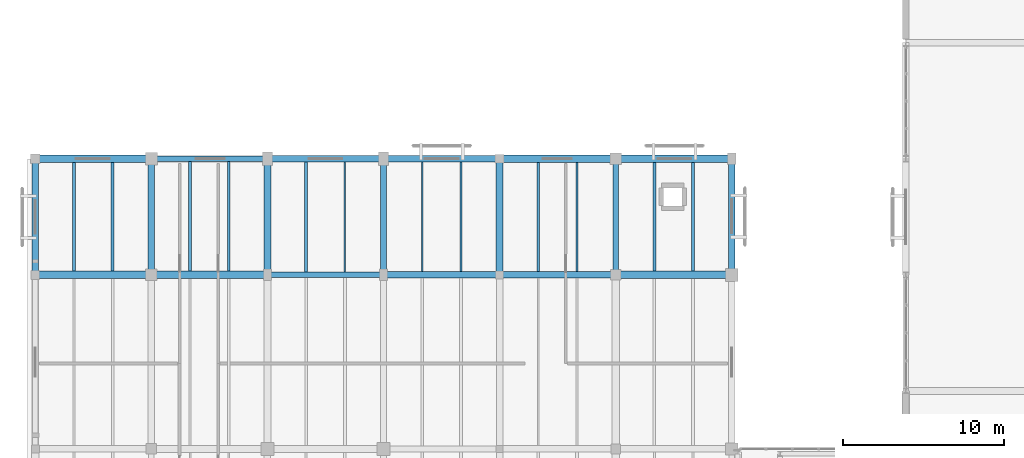
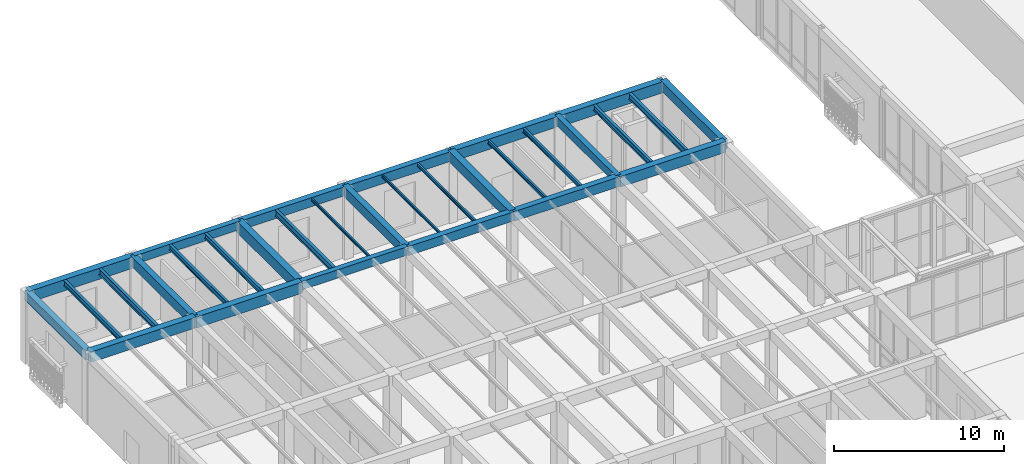
# One storey, part 68 of 169: 31 beams.
"""IFC4 building model written with IfcOpenShell, lengths in metres."""

from ifc_helpers import new_model, si_unit, direction, frame, origin, origin_2d, place, context, subcontext, project, spatial, rectangle, i_section, extrude, material, material_profile, profile_set, type_object, element, save


model = new_model("IFC4")

# Units and contexts
model_context = context("Model", 3, precision=1e-05, world=origin(), true_north=direction((0.0, 1.0)))
body_context = subcontext(model_context, "Body", "Model", "MODEL_VIEW")
ifc_project = project(units=[si_unit("LENGTHUNIT", "METRE"), si_unit("AREAUNIT", "SQUARE_METRE"), si_unit("VOLUMEUNIT", "CUBIC_METRE"), si_unit("PLANEANGLEUNIT", "RADIAN"), si_unit("MASSUNIT", "GRAM", prefix="KILO")], contexts=[model_context])

# Site, building, storey
site_placement = place(None, origin())
site = spatial("IfcSite", under=ifc_project, at=site_placement, CompositionType="ELEMENT")
building_placement = place(site_placement, origin())
building = spatial("IfcBuilding", under=site, at=building_placement, Name="Mazaris Harbour Polytechnic", CompositionType="ELEMENT")
storey_placement = place(building_placement, origin())
storey = spatial("IfcBuildingStorey", under=building, at=storey_placement, Name="L00", CompositionType="ELEMENT", Elevation=0.0)

# Beams
ifc_material_1 = material(Name="Concrete C35/45", Category="concrete")
ifc_material_profile_1 = material_profile(ifc_material_1, rectangle(XDim=0.35009765625, YDim=0.60009765625, at=origin_2d()), Name="RECT350x600")
ifc_profile_set_1 = profile_set([ifc_material_profile_1], Name="Concrete C35/45")
beam_type_1 = type_object("IfcBeamType", Name="RC Girder 350x600", PredefinedType="BEAM", material=ifc_profile_set_1)
beam_1_placement = place(storey_placement, frame((14.39990234375, 93.60009765625, 4.800048828125), z_axis=(1.0, 0.0, 0.0), x_axis=(0.0, 1.0, 0.0)))
element("IfcBeam", 1, at=beam_1_placement, inside=storey, type_object=beam_type_1, Name="V4 L00 Girder 1415", PredefinedType="BEAM", context=body_context, shape_type="SweptSolid", body=[
    extrude(rectangle(XDim=0.35009765625, YDim=0.60009765625, at=origin_2d()), origin(), (0.0, 0.0, 1.0), 7.2001953125),
])
beam_2_placement = place(storey_placement, frame((36.0, 93.60009765625, 4.800048828125), z_axis=(0.0, 1.0, 0.0), x_axis=(-1.0, 0.0, 0.0)))
element("IfcBeam", 2, at=beam_2_placement, inside=storey, type_object=beam_type_1, Name="V4 L00 Tie Girder 1490", PredefinedType="BEAM", context=body_context, shape_type="SweptSolid", body=[
    extrude(rectangle(XDim=0.35009765625, YDim=0.60009765625, at=origin_2d()), origin(), (0.0, 0.0, 1.0), 7.199951171875),
])
ifc_material_2 = material(Name="Concrete C35/45", Category="concrete")
ifc_material_profile_2 = material_profile(ifc_material_2, rectangle(XDim=0.35009765625, YDim=0.60009765625, at=origin_2d()), Name="RECT350x600")
ifc_profile_set_2 = profile_set([ifc_material_profile_2], Name="Concrete C35/45")
beam_type_2 = type_object("IfcBeamType", Name="RC Girder 350x600 Exterior", PredefinedType="BEAM", material=ifc_profile_set_2)
beam_3_placement = place(storey_placement, frame((7.199951171875, 100.800048828125, 4.800048828125), z_axis=(1.0, 0.0, 0.0), x_axis=(0.0, 1.0, 0.0)))
element("IfcBeam", 3, at=beam_3_placement, inside=storey, type_object=beam_type_2, Name="V4 L00 Girder 1420", PredefinedType="BEAM", context=body_context, shape_type="SweptSolid", body=[
    extrude(rectangle(XDim=0.35009765625, YDim=0.60009765625, at=origin_2d()), origin(), (0.0, 0.0, 1.0), 7.199951171875),
])
ifc_material_3 = material(Name="Concrete C35/45", Category="concrete")
ifc_material_profile_3 = material_profile(ifc_material_3, rectangle(XDim=0.39990234375, YDim=0.64990234375, at=origin_2d()), Name="RECT400x650")
ifc_profile_set_3 = profile_set([ifc_material_profile_3], Name="Concrete C35/45")
beam_type_3 = type_object("IfcBeamType", Name="RC Girder 400x650", PredefinedType="BEAM", material=ifc_profile_set_3)
beam_4_placement = place(storey_placement, frame((21.60009765625, 93.60009765625, 4.77490234375), z_axis=(1.0, 0.0, 0.0), x_axis=(0.0, 1.0, 0.0)))
element("IfcBeam", 4, at=beam_4_placement, inside=storey, type_object=beam_type_3, Name="V4 L00 Girder 1416", PredefinedType="BEAM", context=body_context, shape_type="SweptSolid", body=[
    extrude(rectangle(XDim=0.39990234375, YDim=0.64990234375, at=origin_2d()), origin(), (0.0, 0.0, 1.0), 7.199951171875),
])
ifc_material_4 = material(Name="Concrete C35/45", Category="concrete")
ifc_material_profile_4 = material_profile(ifc_material_4, rectangle(XDim=0.39990234375, YDim=0.64990234375, at=origin_2d()), Name="RECT400x650")
ifc_profile_set_4 = profile_set([ifc_material_profile_4], Name="Concrete C35/45")
beam_type_4 = type_object("IfcBeamType", Name="RC Girder 400x650 Exterior", PredefinedType="BEAM", material=ifc_profile_set_4)
beam_5_placement = place(storey_placement, frame((14.39990234375, 100.800048828125, 4.77490234375), z_axis=(1.0, 0.0, 0.0), x_axis=(0.0, 1.0, 0.0)))
element("IfcBeam", 5, at=beam_5_placement, inside=storey, type_object=beam_type_4, Name="V4 L00 Girder 1421", PredefinedType="BEAM", context=body_context, shape_type="SweptSolid", body=[
    extrude(rectangle(XDim=0.39990234375, YDim=0.64990234375, at=origin_2d()), origin(), (0.0, 0.0, 1.0), 7.2001953125),
])
beam_6_placement = place(storey_placement, frame((0.0, 93.60009765625, 4.77490234375), z_axis=(0.0, 1.0, 0.0), x_axis=(-1.0, 0.0, 0.0)))
element("IfcBeam", 6, at=beam_6_placement, inside=storey, type_object=beam_type_4, Name="V4 L00 Tie Girder 1436", PredefinedType="BEAM", context=body_context, shape_type="SweptSolid", body=[
    extrude(rectangle(XDim=0.39990234375, YDim=0.64990234375, at=origin_2d()), origin(), (0.0, 0.0, 1.0), 7.199951171875),
])
ifc_material_5 = material(Name="Concrete C35/45", Category="concrete")
ifc_material_profile_5 = material_profile(ifc_material_5, rectangle(XDim=0.39990234375, YDim=0.699951171875, at=origin_2d()), Name="RECT400x700")
ifc_profile_set_5 = profile_set([ifc_material_profile_5], Name="Concrete C35/45")
beam_type_5 = type_object("IfcBeamType", Name="RC Girder 400x700", PredefinedType="BEAM", material=ifc_profile_set_5)
for number, where, z_axis, x_axis, name in (
    (7, (28.800048828125, 93.60009765625, 4.75), (1.0, 0.0, 0.0), (0.0, 1.0, 0.0), "V4 L00 Girder 1417"),
    (8, (7.199951171875, 93.60009765625, 4.75), (0.0, 1.0, 0.0), (-1.0, 0.0, 0.0), "V4 L00 Tie Girder 1447"),
    (9, (21.60009765625, 93.60009765625, 4.75), (0.0, 1.0, 0.0), (-1.0, 0.0, 0.0), "V4 L00 Tie Girder 1467"),
):
    element("IfcBeam", number, at=place(storey_placement, frame(where, z_axis=z_axis, x_axis=x_axis)), inside=storey, type_object=beam_type_5, Name=name, PredefinedType="BEAM", context=body_context, shape_type="SweptSolid", body=[
        extrude(rectangle(XDim=0.39990234375, YDim=0.699951171875, at=origin_2d()), origin(), (0.0, 0.0, 1.0), 7.199951171875),
    ])
ifc_material_6 = material(Name="Concrete C35/45", Category="concrete")
ifc_material_profile_6 = material_profile(ifc_material_6, rectangle(XDim=0.39990234375, YDim=0.699951171875, at=origin_2d()), Name="RECT400x700")
ifc_profile_set_6 = profile_set([ifc_material_profile_6], Name="Concrete C35/45")
beam_type_6 = type_object("IfcBeamType", Name="RC Girder 400x700 Exterior", PredefinedType="BEAM", material=ifc_profile_set_6)
for number, where, z_axis, x_axis, name in (
    (10, (21.60009765625, 100.800048828125, 4.75), (1.0, 0.0, 0.0), (0.0, 1.0, 0.0), "V4 L00 Girder 1422"),
    (11, (43.199951171875, 93.60009765625, 4.75), (0.0, 1.0, 0.0), (-1.0, 0.0, 0.0), "V4 L00 Tie Girder 1502"),
):
    element("IfcBeam", number, at=place(storey_placement, frame(where, z_axis=z_axis, x_axis=x_axis)), inside=storey, type_object=beam_type_6, Name=name, PredefinedType="BEAM", context=body_context, shape_type="SweptSolid", body=[
        extrude(rectangle(XDim=0.39990234375, YDim=0.699951171875, at=origin_2d()), origin(), (0.0, 0.0, 1.0), 7.199951171875),
    ])
ifc_material_7 = material(Name="Concrete C40/50", Category="concrete")
ifc_material_profile_7 = material_profile(ifc_material_7, rectangle(XDim=0.449951171875, YDim=0.75, at=origin_2d()), Name="RECT450x750")
ifc_profile_set_7 = profile_set([ifc_material_profile_7], Name="Concrete C40/50")
beam_type_7 = type_object("IfcBeamType", Name="RC Girder 450x750", PredefinedType="BEAM", material=ifc_profile_set_7)
for number, where, z_axis, x_axis, name in (
    (12, (0.0, 93.60009765625, 4.72509765625), (1.0, 0.0, 0.0), (0.0, 1.0, 0.0), "V4 L00 Girder 1413"),
    (13, (36.0, 93.60009765625, 4.72509765625), (1.0, 0.0, 0.0), (0.0, 1.0, 0.0), "V4 L00 Girder 1418"),
    (14, (28.800048828125, 93.60009765625, 4.72509765625), (0.0, 1.0, 0.0), (-1.0, 0.0, 0.0), "V4 L00 Tie Girder 1478"),
):
    element("IfcBeam", number, at=place(storey_placement, frame(where, z_axis=z_axis, x_axis=x_axis)), inside=storey, type_object=beam_type_7, Name=name, PredefinedType="BEAM", context=body_context, shape_type="SweptSolid", body=[
        extrude(rectangle(XDim=0.449951171875, YDim=0.75, at=origin_2d()), origin(), (0.0, 0.0, 1.0), 7.199951171875),
    ])
ifc_material_8 = material(Name="Concrete C40/50", Category="concrete")
ifc_material_profile_8 = material_profile(ifc_material_8, rectangle(XDim=0.449951171875, YDim=0.75, at=origin_2d()), Name="RECT450x750")
ifc_profile_set_8 = profile_set([ifc_material_profile_8], Name="Concrete C40/50")
beam_type_8 = type_object("IfcBeamType", Name="RC Girder 450x750 Exterior", PredefinedType="BEAM", material=ifc_profile_set_8)
beam_7_placement = place(storey_placement, frame((28.800048828125, 100.800048828125, 4.72509765625), z_axis=(1.0, 0.0, 0.0), x_axis=(0.0, 1.0, 0.0)))
element("IfcBeam", 15, at=beam_7_placement, inside=storey, type_object=beam_type_8, Name="V4 L00 Girder 1423", PredefinedType="BEAM", context=body_context, shape_type="SweptSolid", body=[
    extrude(rectangle(XDim=0.449951171875, YDim=0.75, at=origin_2d()), origin(), (0.0, 0.0, 1.0), 7.199951171875),
])
ifc_material_9 = material(Name="Concrete C40/50", Category="concrete")
ifc_material_profile_9 = material_profile(ifc_material_9, rectangle(XDim=0.449951171875, YDim=0.800048828125, at=origin_2d()), Name="RECT450x800")
ifc_profile_set_9 = profile_set([ifc_material_profile_9], Name="Concrete C40/50")
beam_type_9 = type_object("IfcBeamType", Name="RC Girder 450x800", PredefinedType="BEAM", material=ifc_profile_set_9)
for number, where, z_axis, x_axis, name in (
    (16, (7.199951171875, 93.60009765625, 4.699951171875), (1.0, 0.0, 0.0), (0.0, 1.0, 0.0), "V4 L00 Girder 1414"),
    (17, (14.39990234375, 93.60009765625, 4.699951171875), (0.0, 1.0, 0.0), (-1.0, 0.0, 0.0), "V4 L00 Tie Girder 1459"),
):
    element("IfcBeam", number, at=place(storey_placement, frame(where, z_axis=z_axis, x_axis=x_axis)), inside=storey, type_object=beam_type_9, Name=name, PredefinedType="BEAM", context=body_context, shape_type="SweptSolid", body=[
        extrude(rectangle(XDim=0.449951171875, YDim=0.800048828125, at=origin_2d()), origin(), (0.0, 0.0, 1.0), 7.199951171875),
    ])
ifc_material_10 = material(Name="Concrete C40/50", Category="concrete")
ifc_material_profile_10 = material_profile(ifc_material_10, rectangle(XDim=0.449951171875, YDim=0.800048828125, at=origin_2d()), Name="RECT450x800")
ifc_profile_set_10 = profile_set([ifc_material_profile_10], Name="Concrete C40/50")
beam_type_10 = type_object("IfcBeamType", Name="RC Girder 450x800 Exterior", PredefinedType="BEAM", material=ifc_profile_set_10)
for number, where, z_axis, x_axis, name in (
    (18, (0.0, 100.800048828125, 4.699951171875), (1.0, 0.0, 0.0), (0.0, 1.0, 0.0), "V4 L00 Girder 1419"),
    (19, (36.0, 100.800048828125, 4.699951171875), (1.0, 0.0, 0.0), (0.0, 1.0, 0.0), "V4 L00 Girder 1424"),
):
    element("IfcBeam", number, at=place(storey_placement, frame(where, z_axis=z_axis, x_axis=x_axis)), inside=storey, type_object=beam_type_10, Name=name, PredefinedType="BEAM", context=body_context, shape_type="SweptSolid", body=[
        extrude(rectangle(XDim=0.449951171875, YDim=0.800048828125, at=origin_2d()), origin(), (0.0, 0.0, 1.0), 7.199951171875),
    ])
ifc_material_11 = material(Name="Steel S355", Category="steel")
ifc_material_profile_11 = material_profile(ifc_material_11, i_section(OverallWidth=0.10009765625, OverallDepth=0.199951171875, WebThickness=0.005615234375, FlangeThickness=0.008544921875, FilletRadius=0.011962890625, at=origin_2d()), Name="IPE 200")
ifc_profile_set_11 = profile_set([ifc_material_profile_11], Name="Steel S355")
beam_type_11 = type_object("IfcBeamType", Name="Steel Joist IPE200", PredefinedType="JOIST", material=ifc_profile_set_11)
beam_8_placement = place(storey_placement, frame((19.199951171875, 93.77490234375, 5.0), z_axis=(0.0, 1.0, 0.0), x_axis=(-1.0, 0.0, 0.0)))
element("IfcBeam", 20, at=beam_8_placement, inside=storey, type_object=beam_type_11, Name="V4 L00 Floor Joist 1561", PredefinedType="JOIST", context=body_context, shape_type="SweptSolid", body=[
    extrude(i_section(OverallWidth=0.10009765625, OverallDepth=0.199951171875, WebThickness=0.005615234375, FlangeThickness=0.008544921875, FilletRadius=0.011962890625, at=origin_2d()), origin(), (0.0, 0.0, 1.0), 6.8251953125),
])
beam_9_placement = place(storey_placement, frame((24.0, 93.800048828125, 5.0), z_axis=(0.0, 1.0, 0.0), x_axis=(-1.0, 0.0, 0.0)))
element("IfcBeam", 21, at=beam_9_placement, inside=storey, type_object=beam_type_11, Name="V4 L00 Floor Joist 1575", PredefinedType="JOIST", context=body_context, shape_type="SweptSolid", body=[
    extrude(i_section(OverallWidth=0.10009765625, OverallDepth=0.199951171875, WebThickness=0.005615234375, FlangeThickness=0.008544921875, FilletRadius=0.011962890625, at=origin_2d()), origin(), (0.0, 0.0, 1.0), 6.800048828125),
])
ifc_material_12 = material(Name="Steel S355", Category="steel")
ifc_material_profile_12 = material_profile(ifc_material_12, i_section(OverallWidth=0.1201171875, OverallDepth=0.239990234375, WebThickness=0.006103515625, FlangeThickness=0.009765625, FilletRadius=0.014892578125, at=origin_2d()), Name="IPE 240")
ifc_profile_set_12 = profile_set([ifc_material_profile_12], Name="Steel S355")
beam_type_12 = type_object("IfcBeamType", Name="Steel Joist IPE240", PredefinedType="JOIST", material=ifc_profile_set_12)
beam_10_placement = place(storey_placement, frame((26.39990234375, 93.800048828125, 4.97998046875), z_axis=(0.0, 1.0, 0.0), x_axis=(-1.0, 0.0, 0.0)))
element("IfcBeam", 22, at=beam_10_placement, inside=storey, type_object=beam_type_12, Name="V4 L00 Floor Joist 1576", PredefinedType="JOIST", context=body_context, shape_type="SweptSolid", body=[
    extrude(i_section(OverallWidth=0.1201171875, OverallDepth=0.239990234375, WebThickness=0.006103515625, FlangeThickness=0.009765625, FilletRadius=0.014892578125, at=origin_2d()), origin(), (0.0, 0.0, 1.0), 6.800048828125),
])
ifc_material_13 = material(Name="Steel S355", Category="steel")
ifc_material_profile_13 = material_profile(ifc_material_13, i_section(OverallWidth=0.135009765625, OverallDepth=0.27001953125, WebThickness=0.006591796875, FlangeThickness=0.01025390625, FilletRadius=0.014892578125, at=origin_2d()), Name="IPE 270")
ifc_profile_set_13 = profile_set([ifc_material_profile_13], Name="Steel S355")
beam_type_13 = type_object("IfcBeamType", Name="Steel Joist IPE270", PredefinedType="JOIST", material=ifc_profile_set_13)
beam_11_placement = place(storey_placement, frame((31.199951171875, 93.800048828125, 4.965087890625), z_axis=(0.0, 1.0, 0.0), x_axis=(-1.0, 0.0, 0.0)))
element("IfcBeam", 23, at=beam_11_placement, inside=storey, type_object=beam_type_13, Name="V4 L00 Floor Joist 1598", PredefinedType="JOIST", context=body_context, shape_type="SweptSolid", body=[
    extrude(i_section(OverallWidth=0.135009765625, OverallDepth=0.27001953125, WebThickness=0.006591796875, FlangeThickness=0.01025390625, FilletRadius=0.014892578125, at=origin_2d()), origin(), (0.0, 0.0, 1.0), 6.77490234375),
])
ifc_material_14 = material(Name="Steel S355", Category="steel")
ifc_material_profile_14 = material_profile(ifc_material_14, i_section(OverallWidth=0.14990234375, OverallDepth=0.300048828125, WebThickness=0.007080078125, FlangeThickness=0.0107421875, FilletRadius=0.014892578125, at=origin_2d()), Name="IPE 300")
ifc_profile_set_14 = profile_set([ifc_material_profile_14], Name="Steel S355")
beam_type_14 = type_object("IfcBeamType", Name="Steel Joist IPE300", PredefinedType="JOIST", material=ifc_profile_set_14)
beam_12_placement = place(storey_placement, frame((33.60009765625, 93.800048828125, 4.949951171875), z_axis=(0.0, 1.0, 0.0), x_axis=(-1.0, 0.0, 0.0)))
element("IfcBeam", 24, at=beam_12_placement, inside=storey, type_object=beam_type_14, Name="V4 L00 Floor Joist 1599", PredefinedType="JOIST", context=body_context, shape_type="SweptSolid", body=[
    extrude(i_section(OverallWidth=0.14990234375, OverallDepth=0.300048828125, WebThickness=0.007080078125, FlangeThickness=0.0107421875, FilletRadius=0.014892578125, at=origin_2d()), origin(), (0.0, 0.0, 1.0), 6.77490234375),
])
ifc_material_15 = material(Name="Steel S355", Category="steel")
ifc_material_profile_15 = material_profile(ifc_material_15, i_section(OverallWidth=0.169921875, OverallDepth=0.360107421875, WebThickness=0.008056640625, FlangeThickness=0.0126953125, FilletRadius=0.01806640625, at=origin_2d()), Name="IPE 360")
ifc_profile_set_15 = profile_set([ifc_material_profile_15], Name="Steel S355")
beam_type_15 = type_object("IfcBeamType", Name="Steel Joist IPE360", PredefinedType="JOIST", material=ifc_profile_set_15)
beam_13_placement = place(storey_placement, frame((9.60009765625, 93.824951171875, 4.919921875), z_axis=(0.0, 1.0, 0.0), x_axis=(-1.0, 0.0, 0.0)))
element("IfcBeam", 25, at=beam_13_placement, inside=storey, type_object=beam_type_15, Name="V4 L00 Floor Joist 1544", PredefinedType="JOIST", context=body_context, shape_type="SweptSolid", body=[
    extrude(i_section(OverallWidth=0.169921875, OverallDepth=0.360107421875, WebThickness=0.008056640625, FlangeThickness=0.0126953125, FilletRadius=0.01806640625, at=origin_2d()), origin(), (0.0, 0.0, 1.0), 6.800048828125),
])
ifc_material_16 = material(Name="Steel S355", Category="steel")
ifc_material_profile_16 = material_profile(ifc_material_16, i_section(OverallWidth=0.179931640625, OverallDepth=0.39990234375, WebThickness=0.008544921875, FlangeThickness=0.013427734375, FilletRadius=0.02099609375, at=origin_2d()), Name="IPE 400")
ifc_profile_set_16 = profile_set([ifc_material_profile_16], Name="Steel S355")
beam_type_16 = type_object("IfcBeamType", Name="Steel Joist IPE400", PredefinedType="JOIST", material=ifc_profile_set_16)
beam_14_placement = place(storey_placement, frame((2.39990234375, 93.824951171875, 4.89990234375), z_axis=(0.0, 1.0, 0.0), x_axis=(-1.0, 0.0, 0.0)))
element("IfcBeam", 26, at=beam_14_placement, inside=storey, type_object=beam_type_16, Name="V4 L00 Floor Joist 1524", PredefinedType="JOIST", context=body_context, shape_type="SweptSolid", body=[
    extrude(i_section(OverallWidth=0.179931640625, OverallDepth=0.39990234375, WebThickness=0.008544921875, FlangeThickness=0.013427734375, FilletRadius=0.02099609375, at=origin_2d()), origin(), (0.0, 0.0, 1.0), 6.75),
])
beam_15_placement = place(storey_placement, frame((12.0, 93.824951171875, 4.89990234375), z_axis=(0.0, 1.0, 0.0), x_axis=(-1.0, 0.0, 0.0)))
element("IfcBeam", 27, at=beam_15_placement, inside=storey, type_object=beam_type_16, Name="V4 L00 Floor Joist 1545", PredefinedType="JOIST", context=body_context, shape_type="SweptSolid", body=[
    extrude(i_section(OverallWidth=0.179931640625, OverallDepth=0.39990234375, WebThickness=0.008544921875, FlangeThickness=0.013427734375, FilletRadius=0.02099609375, at=origin_2d()), origin(), (0.0, 0.0, 1.0), 6.800048828125),
])
beam_16_placement = place(storey_placement, frame((38.39990234375, 93.824951171875, 4.89990234375), z_axis=(0.0, 1.0, 0.0), x_axis=(-1.0, 0.0, 0.0)))
element("IfcBeam", 28, at=beam_16_placement, inside=storey, type_object=beam_type_16, Name="V4 L00 Floor Joist 1622", PredefinedType="JOIST", context=body_context, shape_type="SweptSolid", body=[
    extrude(i_section(OverallWidth=0.179931640625, OverallDepth=0.39990234375, WebThickness=0.008544921875, FlangeThickness=0.013427734375, FilletRadius=0.02099609375, at=origin_2d()), origin(), (0.0, 0.0, 1.0), 6.75),
])
ifc_material_17 = material(Name="Steel S355", Category="steel")
ifc_material_profile_17 = material_profile(ifc_material_17, i_section(OverallWidth=0.18994140625, OverallDepth=0.449951171875, WebThickness=0.009521484375, FlangeThickness=0.0146484375, FilletRadius=0.02099609375, at=origin_2d()), Name="IPE 450")
ifc_profile_set_17 = profile_set([ifc_material_profile_17], Name="Steel S355")
beam_type_17 = type_object("IfcBeamType", Name="Steel Joist IPE450", PredefinedType="JOIST", material=ifc_profile_set_17)
beam_17_placement = place(storey_placement, frame((4.800048828125, 93.824951171875, 4.875), z_axis=(0.0, 1.0, 0.0), x_axis=(-1.0, 0.0, 0.0)))
element("IfcBeam", 29, at=beam_17_placement, inside=storey, type_object=beam_type_17, Name="V4 L00 Floor Joist 1525", PredefinedType="JOIST", context=body_context, shape_type="SweptSolid", body=[
    extrude(i_section(OverallWidth=0.18994140625, OverallDepth=0.449951171875, WebThickness=0.009521484375, FlangeThickness=0.0146484375, FilletRadius=0.02099609375, at=origin_2d()), origin(), (0.0, 0.0, 1.0), 6.75),
])
beam_18_placement = place(storey_placement, frame((16.800048828125, 93.77490234375, 4.875), z_axis=(0.0, 1.0, 0.0), x_axis=(-1.0, 0.0, 0.0)))
element("IfcBeam", 30, at=beam_18_placement, inside=storey, type_object=beam_type_17, Name="V4 L00 Floor Joist 1560", PredefinedType="JOIST", context=body_context, shape_type="SweptSolid", body=[
    extrude(i_section(OverallWidth=0.18994140625, OverallDepth=0.449951171875, WebThickness=0.009521484375, FlangeThickness=0.0146484375, FilletRadius=0.02099609375, at=origin_2d()), origin(), (0.0, 0.0, 1.0), 6.8251953125),
])
beam_19_placement = place(storey_placement, frame((40.800048828125, 93.824951171875, 4.875), z_axis=(0.0, 1.0, 0.0), x_axis=(-1.0, 0.0, 0.0)))
element("IfcBeam", 31, at=beam_19_placement, inside=storey, type_object=beam_type_17, Name="V4 L00 Floor Joist 1623", PredefinedType="JOIST", context=body_context, shape_type="SweptSolid", body=[
    extrude(i_section(OverallWidth=0.18994140625, OverallDepth=0.449951171875, WebThickness=0.009521484375, FlangeThickness=0.0146484375, FilletRadius=0.02099609375, at=origin_2d()), origin(), (0.0, 0.0, 1.0), 6.75),
])

save(model, "model.ifc")
